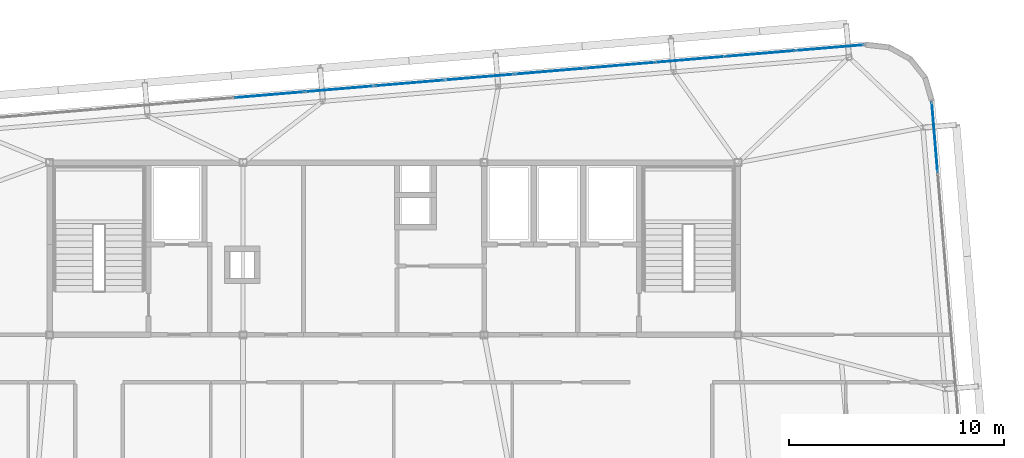
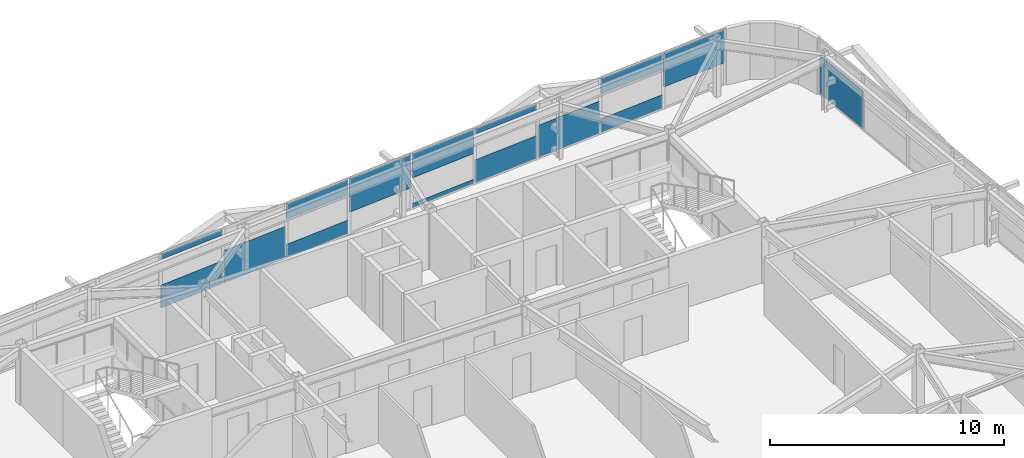
# One storey, part 33 of 46: 15 plates, 2 elements without a shape of their own.
"""IFC4 building model written with IfcOpenShell, lengths in metres."""

from ifc_helpers import new_model, si_unit, direction, frame, origin, origin_2d, place, context, subcontext, project, spatial, rectangle, extrude, source, transform, mapped, material, layer, layer_set, type_object, element, aggregate, save


model = new_model("IFC4")

# Units and contexts
model_context = context("Model", 3, precision=1e-05, world=origin(), true_north=direction((0.0, 1.0)))
body_context = subcontext(model_context, "Body", "Model", "MODEL_VIEW")
ifc_project = project(units=[si_unit("LENGTHUNIT", "METRE"), si_unit("AREAUNIT", "SQUARE_METRE"), si_unit("VOLUMEUNIT", "CUBIC_METRE"), si_unit("PLANEANGLEUNIT", "RADIAN"), si_unit("MASSUNIT", "GRAM", prefix="KILO")], contexts=[model_context])

# Site, building, storey
site_placement = place(None, origin())
site = spatial("IfcSite", under=ifc_project, at=site_placement, CompositionType="ELEMENT")
building_placement = place(site_placement, origin())
building = spatial("IfcBuilding", under=site, at=building_placement, Name="Taldren Reach Tower", CompositionType="ELEMENT")
storey_placement = place(building_placement, frame((0.0, 0.0, 194.60009765625)))
storey = spatial("IfcBuildingStorey", under=building, at=storey_placement, Name="L59", CompositionType="ELEMENT", Elevation=194.60009765625)

# Curtain wall, plates
ifc_material_1 = material(Name="Aluminium and Low-E Glass Unitised System", Category="aluminium")
ifc_layer_1 = layer(ifc_material_1, 0.159912109375)
ifc_layer_set_1 = layer_set([ifc_layer_1], Name="Aluminium and Low-E Glass Unitised System")
curtain_wall_type = type_object("IfcCurtainWallType", Name="CW-SYS-5", PredefinedType="NOTDEFINED", material=ifc_layer_set_1)
curtain_wall_1_placement = place(storey_placement, origin())
curtain_wall_1 = element("IfcCurtainWall", 1, at=curtain_wall_1_placement, inside=storey, type_object=curtain_wall_type, Name="Unitised curtain wall CW-L59-N", PredefinedType="NOTDEFINED")
ifc_material_2 = material(Name="Acoustic Triple-Laminated IGU", Category="glass")
ifc_layer_2 = layer(ifc_material_2, 0.035888671875)
ifc_layer_set_2 = layer_set([ifc_layer_2], Name="Acoustic Triple-Laminated IGU")
plate_type = type_object("IfcPlateType", Name="CW-PNL-IGU36", PredefinedType="CURTAIN_PANEL", material=ifc_layer_set_2)
shared_shape_1 = source(origin(), body_context, "Body", "SweptSolid", [
    extrude(rectangle(XDim=3.164306640625, YDim=0.035888671875, at=origin_2d()), origin(), (0.0, 0.0, 1.0), 1.734130859375),
])
plate_1_placement = place(storey_placement, frame((55.2685546875, 37.3427734375, 1.1357421875), z_axis=(0.0, 0.0, 1.0), x_axis=(-0.99649285657, -0.083677875247, 0.0)))
plate_1 = element("IfcPlate", 2, at=plate_1_placement, type_object=plate_type, Name="CW-5 panel 1.1 part 1", PredefinedType="CURTAIN_PANEL", context=body_context, shape_type="MappedRepresentation", body=[
    mapped(shared_shape_1, transform((0.0, 0.0, 0.0), scale=1.0)),
])
shared_shape_2 = source(origin(), body_context, "Body", "SweptSolid", [
    extrude(rectangle(XDim=3.19921875, YDim=0.035888671875, at=origin_2d()), origin(), (0.0, 0.0, 1.0), 0.711181640625),
])
plate_2_placement = place(storey_placement, frame((52.0283203125, 37.07080078125, 0.06005859375), z_axis=(0.0, 0.0, 1.0), x_axis=(-0.99649285657, -0.083677875247, 0.0)))
plate_2 = element("IfcPlate", 3, at=plate_2_placement, type_object=plate_type, Name="CW-5 panel 2.1 part 1", PredefinedType="CURTAIN_PANEL", context=body_context, shape_type="MappedRepresentation", body=[
    mapped(shared_shape_2, transform((0.0, 0.0, 0.0), scale=1.0)),
])
shared_shape_3 = source(origin(), body_context, "Body", "SweptSolid", [
    extrude(rectangle(XDim=3.19921875, YDim=0.035888671875, at=origin_2d()), origin(), (0.0, 0.0, 1.0), 0.762939453125),
])
plate_3_placement = place(storey_placement, frame((52.0283203125, 37.07080078125, 2.10693359375), z_axis=(0.0, 0.0, 1.0), x_axis=(-0.99649285657, -0.083677875247, 0.0)))
plate_3 = element("IfcPlate", 4, at=plate_3_placement, type_object=plate_type, Name="CW-5 panel 2.1 part 2", PredefinedType="CURTAIN_PANEL", context=body_context, shape_type="MappedRepresentation", body=[
    mapped(shared_shape_3, transform((0.0, 0.0, 0.0), scale=1.0)),
])
shared_shape_4 = source(origin(), body_context, "Body", "SweptSolid", [
    extrude(rectangle(XDim=3.19921875, YDim=0.035888671875, at=origin_2d()), origin(), (0.0, 0.0, 1.0), 1.682373046875),
])
plate_4_placement = place(storey_placement, frame((48.7705078125, 36.797119140625, 0.06005859375), z_axis=(0.0, 0.0, 1.0), x_axis=(-0.99649285657, -0.083677875247, 0.0)))
plate_4 = element("IfcPlate", 5, at=plate_4_placement, type_object=plate_type, Name="CW-5 panel 3.1 part 1", PredefinedType="CURTAIN_PANEL", context=body_context, shape_type="MappedRepresentation", body=[
    mapped(shared_shape_4, transform((0.0, 0.0, 0.0), scale=1.0)),
])
shared_shape_5 = source(origin(), body_context, "Body", "SweptSolid", [
    extrude(rectangle(XDim=3.19921875, YDim=0.035888671875, at=origin_2d()), origin(), (0.0, 0.0, 1.0), 1.190673828125),
])
plate_5_placement = place(storey_placement, frame((45.5126953125, 36.523681640625, 0.06005859375), z_axis=(0.0, 0.0, 1.0), x_axis=(-0.99649285657, -0.083677875247, 0.0)))
plate_5 = element("IfcPlate", 6, at=plate_5_placement, type_object=plate_type, Name="CW-5 panel 4.1 part 1", PredefinedType="CURTAIN_PANEL", context=body_context, shape_type="MappedRepresentation", body=[
    mapped(shared_shape_5, transform((0.0, 0.0, 0.0), scale=1.0)),
])
shared_shape_6 = source(origin(), body_context, "Body", "SweptSolid", [
    extrude(rectangle(XDim=3.19921875, YDim=0.035888671875, at=origin_2d()), origin(), (0.0, 0.0, 1.0), 0.283447265625),
])
plate_6_placement = place(storey_placement, frame((45.5126953125, 36.523681640625, 2.58642578125), z_axis=(0.0, 0.0, 1.0), x_axis=(-0.99649285657, -0.083677875247, 0.0)))
plate_6 = element("IfcPlate", 7, at=plate_6_placement, type_object=plate_type, Name="CW-5 panel 4.1 part 2", PredefinedType="CURTAIN_PANEL", context=body_context, shape_type="MappedRepresentation", body=[
    mapped(shared_shape_6, transform((0.0, 0.0, 0.0), scale=1.0)),
])
shared_shape_7 = source(origin(), body_context, "Body", "SweptSolid", [
    extrude(rectangle(XDim=3.19921875, YDim=0.035888671875, at=origin_2d()), origin(), (0.0, 0.0, 1.0), 0.219482421875),
])
plate_7_placement = place(storey_placement, frame((42.2548828125, 36.25, 0.06005859375), z_axis=(0.0, 0.0, 1.0), x_axis=(-0.99649285657, -0.083677875247, 0.0)))
plate_7 = element("IfcPlate", 8, at=plate_7_placement, type_object=plate_type, Name="CW-5 panel 5.1 part 1", PredefinedType="CURTAIN_PANEL", context=body_context, shape_type="MappedRepresentation", body=[
    mapped(shared_shape_7, transform((0.0, 0.0, 0.0), scale=1.0)),
])
shared_shape_8 = source(origin(), body_context, "Body", "SweptSolid", [
    extrude(rectangle(XDim=3.19921875, YDim=0.035888671875, at=origin_2d()), origin(), (0.0, 0.0, 1.0), 1.254638671875),
])
plate_8_placement = place(storey_placement, frame((42.2548828125, 36.25, 1.615234375), z_axis=(0.0, 0.0, 1.0), x_axis=(-0.99649285657, -0.083677875247, 0.0)))
plate_8 = element("IfcPlate", 9, at=plate_8_placement, type_object=plate_type, Name="CW-5 panel 5.1 part 2", PredefinedType="CURTAIN_PANEL", context=body_context, shape_type="MappedRepresentation", body=[
    mapped(shared_shape_8, transform((0.0, 0.0, 0.0), scale=1.0)),
])
shared_shape_9 = source(origin(), body_context, "Body", "SweptSolid", [
    extrude(rectangle(XDim=3.19921875, YDim=0.035888671875, at=origin_2d()), origin(), (0.0, 0.0, 1.0), 1.73828125),
])
plate_9_placement = place(storey_placement, frame((38.9970703125, 35.9765625, 1.131591796875), z_axis=(0.0, 0.0, 1.0), x_axis=(-0.99649285657, -0.083677875247, 0.0)))
plate_9 = element("IfcPlate", 10, at=plate_9_placement, type_object=plate_type, Name="CW-5 panel 6.1 part 1", PredefinedType="CURTAIN_PANEL", context=body_context, shape_type="MappedRepresentation", body=[
    mapped(shared_shape_9, transform((0.0, 0.0, 0.0), scale=1.0)),
])
shared_shape_10 = source(origin(), body_context, "Body", "SweptSolid", [
    extrude(rectangle(XDim=3.19921875, YDim=0.035888671875, at=origin_2d()), origin(), (0.0, 0.0, 1.0), 0.70703125),
])
plate_10_placement = place(storey_placement, frame((35.739501953125, 35.702880859375, 0.059814453125), z_axis=(0.0, 0.0, 1.0), x_axis=(-0.99649285657, -0.083677875247, 0.0)))
plate_10 = element("IfcPlate", 11, at=plate_10_placement, type_object=plate_type, Name="CW-5 panel 7.1 part 1", PredefinedType="CURTAIN_PANEL", context=body_context, shape_type="MappedRepresentation", body=[
    mapped(shared_shape_10, transform((0.0, 0.0, 0.0), scale=1.0)),
])
shared_shape_11 = source(origin(), body_context, "Body", "SweptSolid", [
    extrude(rectangle(XDim=3.19921875, YDim=0.035888671875, at=origin_2d()), origin(), (0.0, 0.0, 1.0), 0.76708984375),
])
plate_11_placement = place(storey_placement, frame((35.739501953125, 35.702880859375, 2.102783203125), z_axis=(0.0, 0.0, 1.0), x_axis=(-0.99649285657, -0.083677875247, 0.0)))
plate_11 = element("IfcPlate", 12, at=plate_11_placement, type_object=plate_type, Name="CW-5 panel 7.1 part 2", PredefinedType="CURTAIN_PANEL", context=body_context, shape_type="MappedRepresentation", body=[
    mapped(shared_shape_11, transform((0.0, 0.0, 0.0), scale=1.0)),
])
shared_shape_12 = source(origin(), body_context, "Body", "SweptSolid", [
    extrude(rectangle(XDim=3.19921875, YDim=0.035888671875, at=origin_2d()), origin(), (0.0, 0.0, 1.0), 1.67822265625),
])
plate_12_placement = place(storey_placement, frame((32.481689453125, 35.429443359375, 0.059814453125), z_axis=(0.0, 0.0, 1.0), x_axis=(-0.99649285657, -0.083677875247, 0.0)))
plate_12 = element("IfcPlate", 13, at=plate_12_placement, type_object=plate_type, Name="CW-5 panel 8.1 part 1", PredefinedType="CURTAIN_PANEL", context=body_context, shape_type="MappedRepresentation", body=[
    mapped(shared_shape_12, transform((0.0, 0.0, 0.0), scale=1.0)),
])
shared_shape_13 = source(origin(), body_context, "Body", "SweptSolid", [
    extrude(rectangle(XDim=3.19921875, YDim=0.035888671875, at=origin_2d()), origin(), (0.0, 0.0, 1.0), 1.194580078125),
])
plate_13_placement = place(storey_placement, frame((29.223876953125, 35.15576171875, 0.06005859375), z_axis=(0.0, 0.0, 1.0), x_axis=(-0.99649285657, -0.083677875247, 0.0)))
plate_13 = element("IfcPlate", 14, at=plate_13_placement, type_object=plate_type, Name="CW-5 panel 9.1 part 1", PredefinedType="CURTAIN_PANEL", context=body_context, shape_type="MappedRepresentation", body=[
    mapped(shared_shape_13, transform((0.0, 0.0, 0.0), scale=1.0)),
])
shared_shape_14 = source(origin(), body_context, "Body", "SweptSolid", [
    extrude(rectangle(XDim=3.19921875, YDim=0.035888671875, at=origin_2d()), origin(), (0.0, 0.0, 1.0), 0.279296875),
])
plate_14_placement = place(storey_placement, frame((29.223876953125, 35.15576171875, 2.590576171875), z_axis=(0.0, 0.0, 1.0), x_axis=(-0.99649285657, -0.083677875247, 0.0)))
plate_14 = element("IfcPlate", 15, at=plate_14_placement, type_object=plate_type, Name="CW-5 panel 9.1 part 2", PredefinedType="CURTAIN_PANEL", context=body_context, shape_type="MappedRepresentation", body=[
    mapped(shared_shape_14, transform((0.0, 0.0, 0.0), scale=1.0)),
])
aggregate(curtain_wall_1, [plate_1, plate_2, plate_3, plate_4, plate_5, plate_6, plate_7, plate_8, plate_9, plate_10, plate_11, plate_12, plate_13, plate_14])

# Curtain wall, plate
curtain_wall_2_placement = place(storey_placement, origin())
curtain_wall_2 = element("IfcCurtainWall", 16, at=curtain_wall_2_placement, inside=storey, type_object=curtain_wall_type, Name="Unitised curtain wall CW-L59-E", PredefinedType="NOTDEFINED")
shared_shape_15 = source(origin(), body_context, "Body", "SweptSolid", [
    extrude(rectangle(XDim=3.2451171875, YDim=0.035888671875, at=origin_2d()), origin(), (0.0, 0.0, 1.0), 1.980224609375),
])
plate_15_placement = place(storey_placement, frame((60.145751953125, 33.183837890625, 0.06005859375), z_axis=(0.0, 0.0, 1.0), x_axis=(-0.083677979808, 0.996492847789, 0.0)))
plate_15 = element("IfcPlate", 17, at=plate_15_placement, type_object=plate_type, Name="CW-5 panel 8.1 part 1", PredefinedType="CURTAIN_PANEL", context=body_context, shape_type="MappedRepresentation", body=[
    mapped(shared_shape_15, transform((0.0, 0.0, 0.0), scale=1.0)),
])
aggregate(curtain_wall_2, [plate_15])

save(model, "model.ifc")
